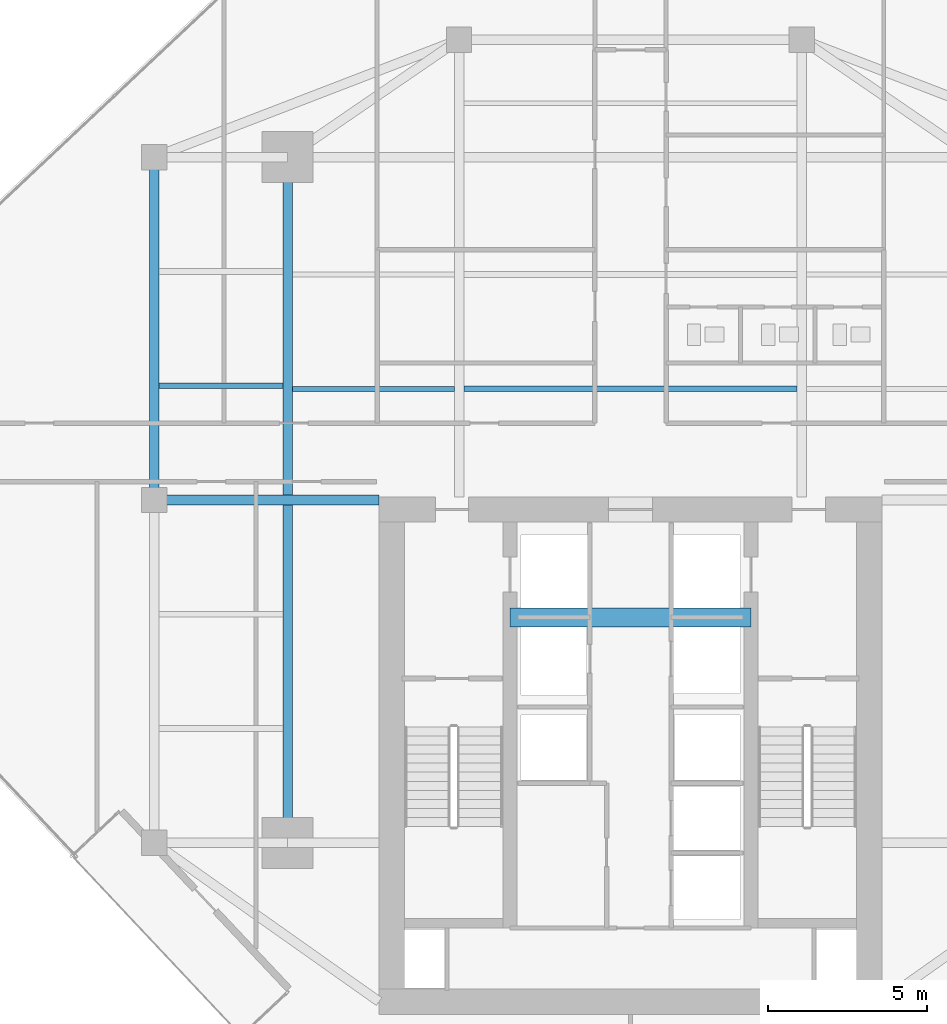
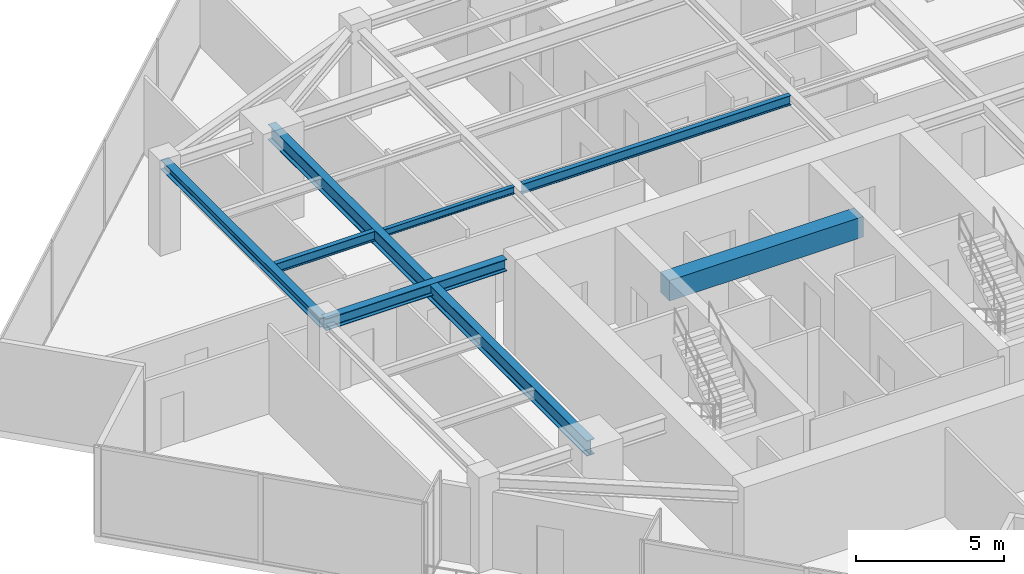
# One storey, part 8 of 24: 7 beams.
"""IFC4 building model written with IfcOpenShell, lengths in metres."""

from ifc_helpers import new_model, si_unit, direction, frame, origin, origin_2d, place, context, subcontext, project, spatial, rectangle, i_section, extrude, source, transform, mapped, material, material_profile, profile_set, type_object, type_shapes, element, save


model = new_model("IFC4")

# Units and contexts
model_context = context("Model", 3, precision=1e-05, world=origin(), true_north=direction((0.0, 1.0)))
body_context = subcontext(model_context, "Body", "Model", "MODEL_VIEW")
ifc_project = project(units=[si_unit("LENGTHUNIT", "METRE"), si_unit("AREAUNIT", "SQUARE_METRE"), si_unit("VOLUMEUNIT", "CUBIC_METRE"), si_unit("PLANEANGLEUNIT", "RADIAN"), si_unit("MASSUNIT", "GRAM", prefix="KILO")], contexts=[model_context])

# Site, building, storey
site_placement = place(None, origin())
site = spatial("IfcSite", under=ifc_project, at=site_placement, CompositionType="ELEMENT")
building_placement = place(site_placement, origin())
building = spatial("IfcBuilding", under=site, at=building_placement, Name="Krantzveldt Concourse Tower", CompositionType="ELEMENT")
storey_placement = place(building_placement, frame((0.0, 0.0, 242.85009765625)))
storey = spatial("IfcBuildingStorey", under=building, at=storey_placement, Name="L59", CompositionType="ELEMENT", Elevation=242.85009765625)

# Beams
ifc_material_1 = material(Name="Steel S355JR", Category="steel")
ifc_material_profile_1 = material_profile(ifc_material_1, i_section(OverallWidth=0.300048828125, OverallDepth=0.639892578125, WebThickness=0.013427734375, FlangeThickness=0.02587890625, FilletRadius=0.027099609375, at=origin_2d()), Name="Steel S355JR", Category="steel")
ifc_profile_set_1 = profile_set([ifc_material_profile_1], Name="Steel S355JR - HEA 650")
beam_type_1 = type_object("IfcBeamType", Name="BM-B-HEA650", PredefinedType="BEAM", material=ifc_profile_set_1)
shared_shape_1 = source(origin(), body_context, "Body", "SweptSolid", [
    extrude(i_section(OverallWidth=0.300048828125, OverallDepth=0.639892578125, WebThickness=0.013427734375, FlangeThickness=0.02587890625, FilletRadius=0.027099609375, at=origin_2d()), origin(), (0.0, 0.0, 1.0), 21.60009765625),
])
type_shapes(beam_type_1, [shared_shape_1])
beam_1_placement = place(storey_placement, frame((25.199951171875, 15.89990234375, 3.349853515625), z_axis=(0.0, 1.0, 0.0), x_axis=(-1.0, 0.0, 0.0)))
element("IfcBeam", 1, at=beam_1_placement, inside=storey, type_object=beam_type_1, Name="L59 Tower Girder BG-MW", PredefinedType="BEAM", context=body_context, shape_type="MappedRepresentation", body=[
    mapped(shared_shape_1, transform((0.0, 0.0, 0.0), x_axis=(1.0, 0.0, 0.0), y_axis=(0.0, 1.0, 0.0), z_axis=(0.0, 0.0, 1.0), scale=1.0)),
])
ifc_material_profile_2 = material_profile(ifc_material_1, i_section(OverallWidth=0.179931640625, OverallDepth=0.39990234375, WebThickness=0.008544921875, FlangeThickness=0.013427734375, FilletRadius=0.02099609375, at=origin_2d()), Name="Steel S355JR", Category="steel")
ifc_profile_set_2 = profile_set([ifc_material_profile_2], Name="Steel S355JR - IPE 400")
beam_type_2 = type_object("IfcBeamType", Name="BM-J-IPE400", PredefinedType="JOIST", material=ifc_profile_set_2)
shared_shape_2 = source(origin(), body_context, "Body", "SweptSolid", [
    extrude(i_section(OverallWidth=0.179931640625, OverallDepth=0.39990234375, WebThickness=0.008544921875, FlangeThickness=0.013427734375, FilletRadius=0.02099609375, at=origin_2d()), origin(), (0.0, 0.0, 1.0), 10.5),
])
beam_2_placement = place(storey_placement, frame((30.75, 30.199951171875, 3.469970703125), z_axis=(1.0, 0.0, 0.0), x_axis=(0.0, 1.0, 0.0)))
element("IfcBeam", 2, at=beam_2_placement, inside=storey, type_object=beam_type_2, Name="L59 Secondary Floor Joist JN-C1", PredefinedType="JOIST", context=body_context, shape_type="MappedRepresentation", body=[
    mapped(shared_shape_2, transform((0.0, 0.0, 0.0), x_axis=(1.0, 0.0, 0.0), y_axis=(0.0, 1.0, 0.0), z_axis=(0.0, 0.0, 1.0), scale=1.0)),
])
ifc_material_profile_3 = material_profile(ifc_material_1, i_section(OverallWidth=0.300048828125, OverallDepth=0.389892578125, WebThickness=0.010986328125, FlangeThickness=0.01904296875, FilletRadius=0.027099609375, at=origin_2d()), Name="Steel S355JR", Category="steel")
ifc_profile_set_3 = profile_set([ifc_material_profile_3], Name="Steel S355JR - HEA 400")
beam_type_3 = type_object("IfcBeamType", Name="BM-SP-HEA400", PredefinedType="SPANDREL", material=ifc_profile_set_3)
shared_shape_3 = source(origin(), body_context, "Body", "SweptSolid", [
    extrude(i_section(OverallWidth=0.300048828125, OverallDepth=0.389892578125, WebThickness=0.010986328125, FlangeThickness=0.01904296875, FilletRadius=0.027099609375, at=origin_2d()), origin(), (0.0, 0.0, 1.0), 10.800048828125),
])
type_shapes(beam_type_3, [shared_shape_3])
beam_3_placement = place(storey_placement, frame((21.0, 26.699951171875, 3.474853515625), z_axis=(0.0, 1.0, 0.0), x_axis=(-1.0, 0.0, 0.0)))
element("IfcBeam", 3, at=beam_3_placement, inside=storey, type_object=beam_type_3, Name="L59 Tower Girder SP-R02", PredefinedType="SPANDREL", context=body_context, shape_type="MappedRepresentation", body=[
    mapped(shared_shape_3, transform((0.0, 0.0, 0.0), x_axis=(1.0, 0.0, 0.0), y_axis=(0.0, 1.0, 0.0), z_axis=(0.0, 0.0, 1.0), scale=1.0)),
])
ifc_material_profile_4 = material_profile(ifc_material_1, i_section(OverallWidth=0.300048828125, OverallDepth=0.489990234375, WebThickness=0.011962890625, FlangeThickness=0.02294921875, FilletRadius=0.027099609375, at=origin_2d()), Name="Steel S355JR", Category="steel")
ifc_profile_set_4 = profile_set([ifc_material_profile_4], Name="Steel S355JR - HEA 500")
beam_type_4 = type_object("IfcBeamType", Name="BM-B-HEA500", PredefinedType="BEAM", material=ifc_profile_set_4)
shared_shape_4 = source(origin(), body_context, "Body", "SweptSolid", [
    extrude(i_section(OverallWidth=0.300048828125, OverallDepth=0.489990234375, WebThickness=0.011962890625, FlangeThickness=0.02294921875, FilletRadius=0.027099609375, at=origin_2d()), origin(), (0.0, 0.0, 1.0), 7.080078125),
])
type_shapes(beam_type_4, [shared_shape_4])
beam_4_placement = place(storey_placement, frame((21.0, 26.699951171875, 3.4248046875), z_axis=(1.0, 0.0, 0.0), x_axis=(0.0, 1.0, 0.0)))
element("IfcBeam", 4, at=beam_4_placement, inside=storey, type_object=beam_type_4, Name="L59 Tower Girder BG-CW2", PredefinedType="BEAM", context=body_context, shape_type="MappedRepresentation", body=[
    mapped(shared_shape_4, transform((0.0, 0.0, 0.0), x_axis=(1.0, 0.0, 0.0), y_axis=(0.0, 1.0, 0.0), z_axis=(0.0, 0.0, 1.0), scale=1.0)),
])
ifc_material_profile_5 = material_profile(ifc_material_1, i_section(OverallWidth=0.14990234375, OverallDepth=0.300048828125, WebThickness=0.007080078125, FlangeThickness=0.0107421875, FilletRadius=0.014892578125, at=origin_2d()), Name="Steel S355JR", Category="steel")
ifc_profile_set_5 = profile_set([ifc_material_profile_5], Name="Steel S355JR - IPE 300")
beam_type_5 = type_object("IfcBeamType", Name="BM-J-IPE300", PredefinedType="JOIST", material=ifc_profile_set_5)
shared_shape_5 = source(origin(), body_context, "Body", "SweptSolid", [
    extrude(i_section(OverallWidth=0.14990234375, OverallDepth=0.300048828125, WebThickness=0.007080078125, FlangeThickness=0.0107421875, FilletRadius=0.014892578125, at=origin_2d()), origin(), (0.0, 0.0, 1.0), 5.099853515625),
])
type_shapes(beam_type_5, [shared_shape_5])
beam_5_placement = place(storey_placement, frame((25.35009765625, 30.199951171875, 3.52001953125), z_axis=(1.0, 0.0, 0.0), x_axis=(0.0, 1.0, 0.0)))
element("IfcBeam", 5, at=beam_5_placement, inside=storey, type_object=beam_type_5, Name="L59 Secondary Floor Joist JN-W1", PredefinedType="JOIST", context=body_context, shape_type="MappedRepresentation", body=[
    mapped(shared_shape_5, transform((0.0, 0.0, 0.0), x_axis=(1.0, 0.0, 0.0), y_axis=(0.0, 1.0, 0.0), z_axis=(0.0, 0.0, 1.0), scale=1.0)),
])
shared_shape_6 = source(origin(), body_context, "Body", "SweptSolid", [
    extrude(i_section(OverallWidth=0.179931640625, OverallDepth=0.39990234375, WebThickness=0.008544921875, FlangeThickness=0.013427734375, FilletRadius=0.02099609375, at=origin_2d()), origin(), (0.0, 0.0, 1.0), 3.900146484375),
])
type_shapes(beam_type_2, [shared_shape_2, shared_shape_6])
beam_6_placement = place(storey_placement, frame((21.14990234375, 30.300048828125, 3.469970703125), z_axis=(1.0, 0.0, 0.0), x_axis=(0.0, 1.0, 0.0)))
element("IfcBeam", 6, at=beam_6_placement, inside=storey, type_object=beam_type_2, Name="L59 Secondary Floor Joist JW-3", PredefinedType="JOIST", context=body_context, shape_type="MappedRepresentation", body=[
    mapped(shared_shape_6, transform((0.0, 0.0, 0.0), x_axis=(1.0, 0.0, 0.0), y_axis=(0.0, 1.0, 0.0), z_axis=(0.0, 0.0, 1.0), scale=1.0)),
])
ifc_material_2 = material(Name="Concrete C50/60", Category="concrete")
ifc_material_profile_6 = material_profile(ifc_material_2, rectangle(XDim=0.60009765625, YDim=0.85009765625, at=origin_2d()), Name="Concrete C50/60", Category="concrete")
ifc_profile_set_6 = profile_set([ifc_material_profile_6], Name="Concrete C50/60 - RC-CB 600x850")
beam_type_6 = type_object("IfcBeamType", Name="BM-CB-850", PredefinedType="LINTEL", material=ifc_profile_set_6)
shared_shape_7 = source(origin(), body_context, "Body", "SweptSolid", [
    extrude(rectangle(XDim=0.60009765625, YDim=0.85009765625, at=origin_2d()), origin(), (0.0, 0.0, 1.0), 7.580078125),
])
type_shapes(beam_type_6, [shared_shape_7])
beam_7_placement = place(storey_placement, frame((32.2099609375, 23.0, 3.244873046875), z_axis=(1.0, 0.0, 0.0), x_axis=(0.0, 1.0, 0.0)))
element("IfcBeam", 7, at=beam_7_placement, inside=storey, type_object=beam_type_6, Name="CB-L59-01", PredefinedType="LINTEL", context=body_context, shape_type="MappedRepresentation", body=[
    mapped(shared_shape_7, transform((0.0, 0.0, 0.0), x_axis=(1.0, 0.0, 0.0), y_axis=(0.0, 1.0, 0.0), z_axis=(0.0, 0.0, 1.0), scale=1.0)),
])

save(model, "model.ifc")
